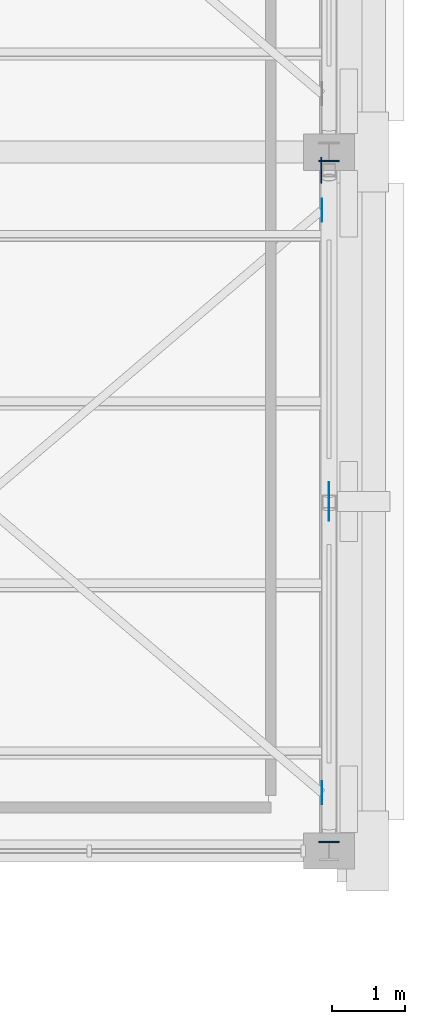
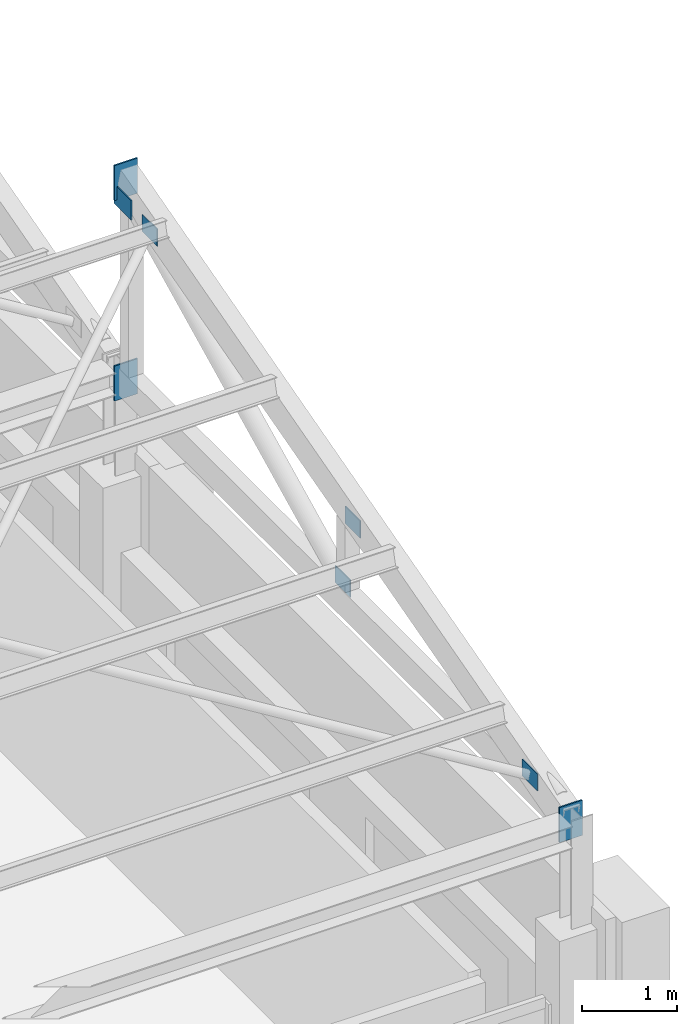
# One storey, part 41 of 58: 8 plates.
"""IFC4 building model written with IfcOpenShell, lengths in metres."""

from ifc_helpers import new_model, si_unit, direction, frame, origin, origin_2d, place, context, subcontext, project, spatial, rectangle, extrude, material, layer, layer_set, type_object, element, save


model = new_model("IFC4")

# Units and contexts
model_context = context("Model", 3, precision=1e-05, world=origin(), true_north=direction((0.0, 1.0)))
body_context = subcontext(model_context, "Body", "Model", "MODEL_VIEW")
ifc_project = project(units=[si_unit("LENGTHUNIT", "METRE"), si_unit("AREAUNIT", "SQUARE_METRE"), si_unit("VOLUMEUNIT", "CUBIC_METRE"), si_unit("PLANEANGLEUNIT", "RADIAN"), si_unit("MASSUNIT", "GRAM", prefix="KILO")], contexts=[model_context])

# Site, building, storey
site_placement = place(None, origin())
site = spatial("IfcSite", under=ifc_project, at=site_placement, CompositionType="ELEMENT")
building_placement = place(site_placement, origin())
building = spatial("IfcBuilding", under=site, at=building_placement, Name="Bempovik Park Faculty of Sciences", CompositionType="ELEMENT")
storey_placement = place(building_placement, frame((0.0, 0.0, 18.300048828125)))
storey = spatial("IfcBuildingStorey", under=building, at=storey_placement, Name="L04", CompositionType="ELEMENT", Elevation=18.300048828125)

# Plates
ifc_material = material(Name="Steel S355", Category="steel")
ifc_layer_1 = layer(ifc_material, 0.011962890625)
ifc_layer_set_1 = layer_set([ifc_layer_1], Name="Steel S355")
plate_type_1 = type_object("IfcPlateType", Name="PL-26 Steel Plate 320x220x12", PredefinedType="SHEET", material=ifc_layer_set_1)
for number, where, z_axis, x_axis, name in (
    (1, (127.10400390625, 76.60009765625, 7.43017578125), (0.0, 0.0, 1.0), (1.0, 0.0, 0.0), "Sawtooth X-Brace End Gusset V2-B1-117.6-2"),
    (2, (127.10400390625, 68.60009765625, 5.28662109375), (0.0, 0.0, 1.0), (1.0, 0.0, 0.0), "Sawtooth X-Brace End Gusset V2-B1-117.6-4"),
    (3, (127.199951171875, 72.4951171875, 6.138671875), (0.0, 0.0, 1.0), (1.0, 0.0, 0.0), "Brace/Strut End Gusset Plate SAW-V2-B1-D1-1272-E2"),
    (4, (127.199951171875, 72.705078125, 5.2509765625), (0.0, 0.0, 1.0), (1.0, 0.0, 0.0), "Brace/Strut End Gusset Plate SAW-V2-B1-D2-1272-E1"),
):
    element("IfcPlate", number, at=place(storey_placement, frame(where, z_axis=z_axis, x_axis=x_axis)), inside=storey, type_object=plate_type_1, Name=name, PredefinedType="SHEET", context=body_context, shape_type="SweptSolid", body=[
        extrude(rectangle(XDim=0.011962890625, YDim=0.320068359375, at=origin_2d()), origin(), (0.0, 0.0, 1.0), 0.219970703125),
    ])
ifc_layer_2 = layer(ifc_material, 0.02001953125)
ifc_layer_set_2 = layer_set([ifc_layer_2], Name="Steel S355")
plate_type_2 = type_object("IfcPlateType", Name="PL-36 Steel Plate 450x280x20", PredefinedType="USERDEFINED", material=ifc_layer_set_2)
for number, where, z_axis, x_axis, name in (
    (5, (127.199951171875, 77.278076171875, 7.52978515625), (0.0, 0.0, 1.0), (1.0, 0.0, 0.0), "Atrium Sawtooth Rafter End Cap V2-B1-127.2"),
    (6, (127.199951171875, 67.922119140625, 4.95751953125), (0.0, 0.0, 1.0), (1.0, 0.0, 0.0), "Atrium Sawtooth Valley Rafter End Cap V2-B1-127.2"),
    (7, (127.199951171875, 77.278076171875, 4.955078125), (0.0, 0.0, 1.0), (1.0, 0.0, 0.0), "Atrium Sawtooth Bottom Chord End Cap V2-B1-127.2"),
):
    element("IfcPlate", number, at=place(storey_placement, frame(where, z_axis=z_axis, x_axis=x_axis)), inside=storey, type_object=plate_type_2, Name=name, ObjectType="STIFFENER PLATE", PredefinedType="USERDEFINED", context=body_context, shape_type="SweptSolid", body=[
        extrude(rectangle(XDim=0.280029296875, YDim=0.02001953125, at=origin_2d()), origin(), (0.0, 0.0, 1.0), 0.449951171875),
    ])
ifc_layer_3 = layer(ifc_material, 0.013916015625)
ifc_layer_set_3 = layer_set([ifc_layer_3], Name="Steel S355")
plate_type_3 = type_object("IfcPlateType", Name="PL-39 Steel Plate 360x250x14", PredefinedType="SHEET", material=ifc_layer_set_3)
plate_placement = place(storey_placement, frame((127.094970703125, 77.14990234375, 7.449462890625), z_axis=(0.0, 0.0, 1.0), x_axis=(1.0, 0.0, 0.0)))
element("IfcPlate", 8, at=plate_placement, inside=storey, type_object=plate_type_3, Name="Sawtooth Ridge Gusset Plate V2-B1-127.2", PredefinedType="SHEET", context=body_context, shape_type="SweptSolid", body=[
    extrude(rectangle(XDim=0.013916015625, YDim=0.360107421875, at=origin_2d()), origin(), (0.0, 0.0, 1.0), 0.25),
])

save(model, "model.ifc")
